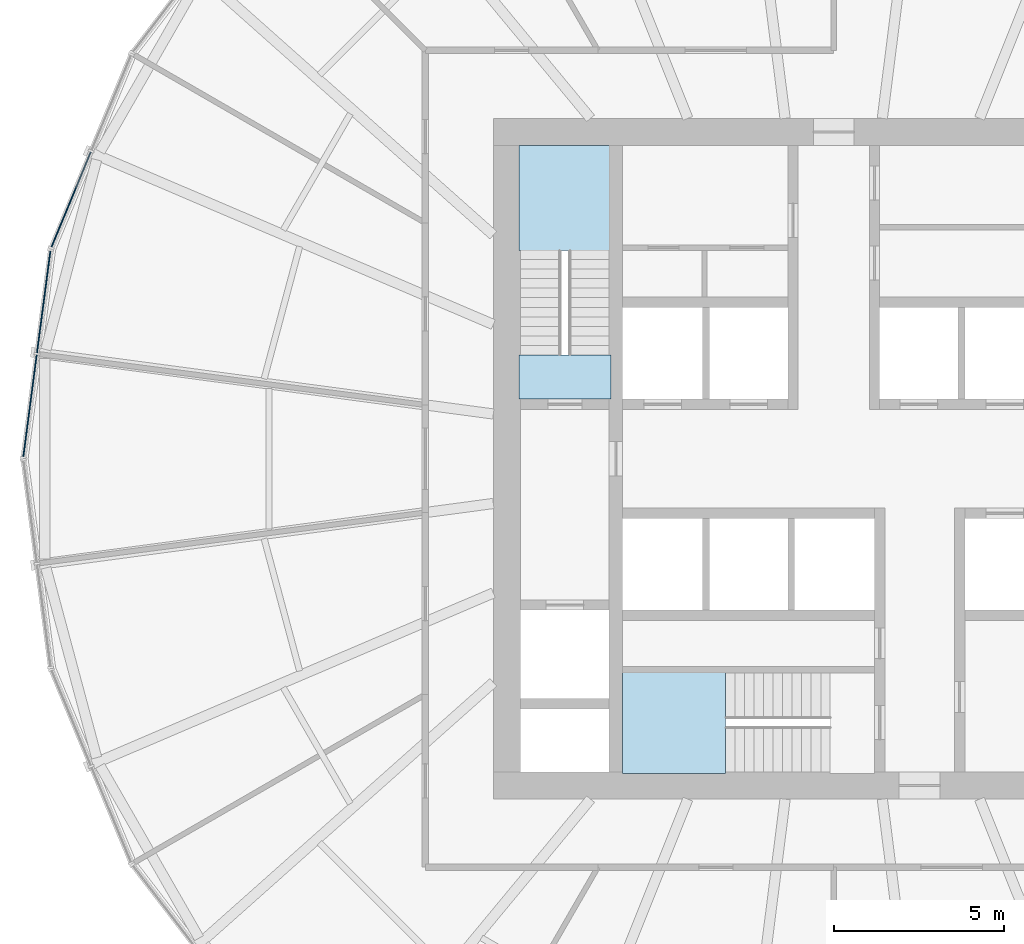
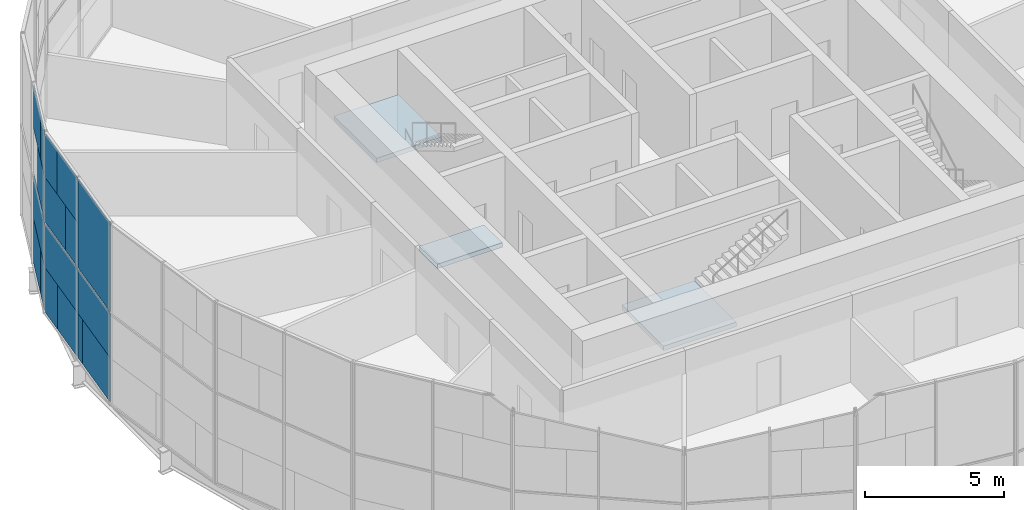
# One storey, part 10 of 18: 17 plates, 3 slabs, 4 elements without a shape of their own.
"""IFC4 building model written with IfcOpenShell, lengths in metres."""

from ifc_helpers import new_model, si_unit, direction, frame, origin, origin_2d, place, context, subcontext, project, spatial, polyline, rectangle, outline, extrude, material, layer, layer_set, type_object, element, aggregate, save


model = new_model("IFC4")

# Units and contexts
model_context = context("Model", 3, precision=1e-05, world=origin(), true_north=direction((0.0, 1.0)))
body_context = subcontext(model_context, "Body", "Model", "MODEL_VIEW")
ifc_project = project(units=[si_unit("LENGTHUNIT", "METRE"), si_unit("AREAUNIT", "SQUARE_METRE"), si_unit("VOLUMEUNIT", "CUBIC_METRE"), si_unit("PLANEANGLEUNIT", "RADIAN"), si_unit("MASSUNIT", "GRAM", prefix="KILO")], contexts=[model_context])

# Site, building, storey
site_placement = place(None, origin())
site = spatial("IfcSite", under=ifc_project, at=site_placement, CompositionType="ELEMENT")
building_placement = place(site_placement, origin())
building = spatial("IfcBuilding", under=site, at=building_placement, Name="Golbaran Civic Tower", CompositionType="ELEMENT")
storey_placement = place(building_placement, frame((0.0, 0.0, 61.0)))
storey = spatial("IfcBuildingStorey", under=building, at=storey_placement, Name="L14", CompositionType="ELEMENT", Elevation=61.0)

# Curtain wall, plates
ifc_material_1 = material(Name="Aluminium and glass", Category="aluminium")
curtain_wall_type = type_object("IfcCurtainWallType", Name="INNER SKIN CURTAIN WALL", PredefinedType="NOTDEFINED", material=ifc_material_1)
curtain_wall_1_placement = place(storey_placement, origin())
curtain_wall_1 = element("IfcCurtainWall", 1, at=curtain_wall_1_placement, inside=storey, type_object=curtain_wall_type, Name="Inner skin L14 facet 11 CW1", ObjectType="INNER SKIN", PredefinedType="USERDEFINED")
ifc_material_2 = material(Name="Clear insulating glass", Category="glass")
ifc_layer_1 = layer(ifc_material_2, 0.031982421875, Name="Clear insulating glass")
ifc_layer_set_1 = layer_set([ifc_layer_1], Name="Clear insulating glass")
plate_type_1 = type_object("IfcPlateType", Name="INNER SKIN CURTAIN WALL GLAZED PANEL", PredefinedType="CURTAIN_PANEL", material=ifc_layer_set_1)
plate_1_placement = place(storey_placement, frame((-22.764404296875, 6.74609375, 0.06494140625), z_axis=(0.0, 0.0, 1.0), x_axis=(-0.382683432381, -0.923879532505, 0.0)))
plate_1 = element("IfcPlate", 2, at=plate_1_placement, type_object=plate_type_1, Name="CW1 panel 2.1 part 2", PredefinedType="CURTAIN_PANEL", context=body_context, shape_type="SweptSolid", body=[
    extrude(rectangle(XDim=1.129150390625, YDim=0.031982421875, at=origin_2d()), origin(), (0.0, 0.0, 1.0), 1.951171875),
])
plate_2_placement = place(storey_placement, frame((-22.1943359375, 8.12255859375, 5.98388671875), z_axis=(0.0, 0.0, 1.0), x_axis=(-0.382683432381, -0.923879532505, 0.0)))
plate_2 = element("IfcPlate", 3, at=plate_2_placement, type_object=plate_type_1, Name="CW1 panel 2.2 part 3", PredefinedType="CURTAIN_PANEL", context=body_context, shape_type="SweptSolid", body=[
    extrude(rectangle(XDim=1.9130859375, YDim=0.031982421875, at=origin_2d()), origin(), (0.0, 0.0, 1.0), 1.951171875),
])

curtain_wall_2_placement = place(storey_placement, origin())
curtain_wall_2 = element("IfcCurtainWall", 4, at=curtain_wall_2_placement, inside=storey, type_object=curtain_wall_type, Name="Inner skin L14 facet 12 CW1", ObjectType="INNER SKIN", PredefinedType="USERDEFINED")
plate_3_placement = place(storey_placement, frame((-23.087646484375, 5.540283203125, 0.06494140625), z_axis=(0.0, 0.0, 1.0), x_axis=(-0.130526192185, -0.991444861378, 0.0)))
plate_3 = element("IfcPlate", 5, at=plate_3_placement, type_object=plate_type_1, Name="CW1 panel 1.1 part 1", PredefinedType="CURTAIN_PANEL", context=body_context, shape_type="SweptSolid", body=[
    extrude(rectangle(XDim=1.12890625, YDim=0.031982421875, at=origin_2d()), origin(), (0.0, 0.0, 1.0), 1.951171875),
])
plate_4_placement = place(storey_placement, frame((-23.33349609375, 3.671630859375, 4.032470703125), z_axis=(0.0, 0.0, 1.0), x_axis=(-0.130526192185, -0.991444861378, 0.0)))
plate_4 = element("IfcPlate", 6, at=plate_4_placement, type_object=plate_type_1, Name="CW1 panel 1.2 part 2", PredefinedType="CURTAIN_PANEL", context=body_context, shape_type="SweptSolid", body=[
    extrude(rectangle(XDim=1.124267578125, YDim=0.031982421875, at=origin_2d()), origin(), (0.0, 0.0, 1.0), 1.951171875),
])
plate_5_placement = place(storey_placement, frame((-23.2822265625, 4.062744140625, 5.98388671875), z_axis=(0.0, 0.0, 1.0), x_axis=(-0.130526192185, -0.991444861378, 0.0)))
plate_5 = element("IfcPlate", 7, at=plate_5_placement, type_object=plate_type_1, Name="CW1 panel 1.2 part 4", PredefinedType="CURTAIN_PANEL", context=body_context, shape_type="SweptSolid", body=[
    extrude(rectangle(XDim=1.913330078125, YDim=0.031982421875, at=origin_2d()), origin(), (0.0, 0.0, 1.0), 1.951171875),
])
plate_6_placement = place(storey_placement, frame((-23.638916015625, 1.35302734375, 0.06494140625), z_axis=(0.0, 0.0, 1.0), x_axis=(-0.130526192185, -0.991444861378, 0.0)))
plate_6 = element("IfcPlate", 8, at=plate_6_placement, type_object=plate_type_1, Name="CW1 panel 2.1 part 2", PredefinedType="CURTAIN_PANEL", context=body_context, shape_type="SweptSolid", body=[
    extrude(rectangle(XDim=2.59912109375, YDim=0.031982421875, at=origin_2d()), origin(), (0.0, 0.0, 1.0), 1.951171875),
])
plate_7_placement = place(storey_placement, frame((-23.612060546875, 1.55712890625, 2.016357421875), z_axis=(0.0, 0.0, 1.0), x_axis=(-0.130526192185, -0.991444861378, 0.0)))
plate_7 = element("IfcPlate", 9, at=plate_7_placement, type_object=plate_type_1, Name="CW1 panel 2.1 part 3", PredefinedType="CURTAIN_PANEL", context=body_context, shape_type="SweptSolid", body=[
    extrude(rectangle(XDim=3.01123046875, YDim=0.031982421875, at=origin_2d()), origin(), (0.0, 0.0, 1.0), 1.951171875),
])
plate_8_placement = place(storey_placement, frame((-23.612060546875, 1.55712890625, 4.0322265625), z_axis=(0.0, 0.0, 1.0), x_axis=(-0.130526192185, -0.991444861378, 0.0)))
plate_8 = element("IfcPlate", 10, at=plate_8_placement, type_object=plate_type_1, Name="CW1 panel 2.2", PredefinedType="CURTAIN_PANEL", context=body_context, shape_type="SweptSolid", body=[
    extrude(rectangle(XDim=3.01123046875, YDim=0.031982421875, at=origin_2d()), origin(), (0.0, 0.0, 1.0), 3.902587890625),
])

# Plate
ifc_material_3 = material(Name="Aluminium faced opaque infill panel", Category="aluminium")
ifc_layer_2 = layer(ifc_material_3, 0.031982421875, Name="Aluminium faced opaque infill panel")
ifc_layer_set_2 = layer_set([ifc_layer_2], Name="Aluminium faced opaque infill panel")
plate_type_2 = type_object("IfcPlateType", Name="INNER SKIN CURTAIN WALL OPAQUE INFILL PANEL", PredefinedType="CURTAIN_PANEL", material=ifc_layer_set_2)
plate_9_placement = place(storey_placement, frame((-22.188232421875, 8.136962890625, 0.06494140625), z_axis=(0.0, 0.0, 1.0), x_axis=(-0.382683432381, -0.923879532505, 0.0)))
plate_9 = element("IfcPlate", 11, at=plate_9_placement, type_object=plate_type_2, Name="CW1 infill panel 2.1 part 1", PredefinedType="CURTAIN_PANEL", context=body_context, shape_type="SweptSolid", body=[
    extrude(rectangle(XDim=1.882080078125, YDim=0.031982421875, at=origin_2d()), origin(), (0.0, 0.0, 1.0), 1.951171875),
])

plate_10_placement = place(storey_placement, frame((-22.404296875, 7.615478515625, 2.016357421875), z_axis=(0.0, 0.0, 1.0), x_axis=(-0.382683432381, -0.923879532505, 0.0)))
plate_10 = element("IfcPlate", 12, at=plate_10_placement, type_object=plate_type_2, Name="CW1 infill panel 2.1 part 3", PredefinedType="CURTAIN_PANEL", context=body_context, shape_type="SweptSolid", body=[
    extrude(rectangle(XDim=3.01123046875, YDim=0.031982421875, at=origin_2d()), origin(), (0.0, 0.0, 1.0), 1.951171875),
])

plate_11_placement = place(storey_placement, frame((-22.619384765625, 7.09619140625, 4.032470703125), z_axis=(0.0, 0.0, 1.0), x_axis=(-0.382683432381, -0.923879532505, 0.0)))
plate_11 = element("IfcPlate", 13, at=plate_11_placement, type_object=plate_type_2, Name="CW1 infill panel 2.2 part 2", PredefinedType="CURTAIN_PANEL", context=body_context, shape_type="SweptSolid", body=[
    extrude(rectangle(XDim=1.88720703125, YDim=0.031982421875, at=origin_2d()), origin(), (0.0, 0.0, 1.0), 1.951171875),
])

plate_12_placement = place(storey_placement, frame((-22.7705078125, 6.731689453125, 5.98388671875), z_axis=(0.0, 0.0, 1.0), x_axis=(-0.382683432381, -0.923879532505, 0.0)))
plate_12 = element("IfcPlate", 14, at=plate_12_placement, type_object=plate_type_2, Name="CW1 infill panel 2.2 part 4", PredefinedType="CURTAIN_PANEL", context=body_context, shape_type="SweptSolid", body=[
    extrude(rectangle(XDim=1.09814453125, YDim=0.031982421875, at=origin_2d()), origin(), (0.0, 0.0, 1.0), 1.951171875),
])

aggregate(curtain_wall_1, [plate_9, plate_1, plate_10, plate_11, plate_2, plate_12])

plate_13_placement = place(storey_placement, frame((-23.2841796875, 4.04736328125, 0.06494140625), z_axis=(0.0, 0.0, 1.0), x_axis=(-0.130526192185, -0.991444861378, 0.0)))
plate_13 = element("IfcPlate", 15, at=plate_13_placement, type_object=plate_type_2, Name="CW1 infill panel 1.1 part 2", PredefinedType="CURTAIN_PANEL", context=body_context, shape_type="SweptSolid", body=[
    extrude(rectangle(XDim=1.88232421875, YDim=0.031982421875, at=origin_2d()), origin(), (0.0, 0.0, 1.0), 1.951171875),
])

plate_14_placement = place(storey_placement, frame((-23.21044921875, 4.607177734375, 2.016357421875), z_axis=(0.0, 0.0, 1.0), x_axis=(-0.130526192185, -0.991444861378, 0.0)))
plate_14 = element("IfcPlate", 16, at=plate_14_placement, type_object=plate_type_2, Name="CW1 infill panel 1.1 part 3", PredefinedType="CURTAIN_PANEL", context=body_context, shape_type="SweptSolid", body=[
    extrude(rectangle(XDim=3.01123046875, YDim=0.031982421875, at=origin_2d()), origin(), (0.0, 0.0, 1.0), 1.951171875),
])

plate_15_placement = place(storey_placement, frame((-23.13720703125, 5.164306640625, 4.032470703125), z_axis=(0.0, 0.0, 1.0), x_axis=(-0.130526192185, -0.991444861378, 0.0)))
plate_15 = element("IfcPlate", 17, at=plate_15_placement, type_object=plate_type_2, Name="CW1 infill panel 1.2 part 1", PredefinedType="CURTAIN_PANEL", context=body_context, shape_type="SweptSolid", body=[
    extrude(rectangle(XDim=1.886962890625, YDim=0.031982421875, at=origin_2d()), origin(), (0.0, 0.0, 1.0), 1.951171875),
])

plate_16_placement = place(storey_placement, frame((-23.085693359375, 5.5556640625, 5.98388671875), z_axis=(0.0, 0.0, 1.0), x_axis=(-0.130526192185, -0.991444861378, 0.0)))
plate_16 = element("IfcPlate", 18, at=plate_16_placement, type_object=plate_type_2, Name="CW1 infill panel 1.2 part 3", PredefinedType="CURTAIN_PANEL", context=body_context, shape_type="SweptSolid", body=[
    extrude(rectangle(XDim=1.097900390625, YDim=0.031982421875, at=origin_2d()), origin(), (0.0, 0.0, 1.0), 1.951171875),
])

plate_17_placement = place(storey_placement, frame((-23.4423828125, 2.845703125, 0.06494140625), z_axis=(0.0, 0.0, 1.0), x_axis=(-0.130526192185, -0.991444861378, 0.0)))
plate_17 = element("IfcPlate", 19, at=plate_17_placement, type_object=plate_type_2, Name="CW1 infill panel 2.1 part 1", PredefinedType="CURTAIN_PANEL", context=body_context, shape_type="SweptSolid", body=[
    extrude(rectangle(XDim=0.412109375, YDim=0.031982421875, at=origin_2d()), origin(), (0.0, 0.0, 1.0), 1.951171875),
])

aggregate(curtain_wall_2, [plate_3, plate_13, plate_14, plate_15, plate_4, plate_16, plate_5, plate_17, plate_6, plate_7, plate_8])

# Stair, slab
ifc_material_4 = material(Name="Concrete C35/45", Category="concrete")
stair_type_1 = type_object("IfcStairType", Name="EXIT STAIR 2600 x 7450, 4000 RISE", PredefinedType="HALF_TURN_STAIR", material=ifc_material_4)
stair_1_placement = place(storey_placement, origin())
stair_1 = element("IfcStair", 20, at=stair_1_placement, inside=storey, type_object=stair_type_1, Name="Stair S1 L14", PredefinedType="HALF_TURN_STAIR")
ifc_layer_3 = layer(ifc_material_4, 0.199951171875, Name="Concrete C35/45")
ifc_layer_set_3 = layer_set([ifc_layer_3], Name="Concrete C35/45")
slab_type = type_object("IfcSlabType", Name="STAIR LANDING 200", PredefinedType="LANDING", material=ifc_layer_set_3)
slab_1_placement = place(storey_placement, frame((0.0, 0.0, 1.800048828125)))
slab_1 = element("IfcSlab", 21, at=slab_1_placement, type_object=slab_type, Name="ST26074-40 landing 1", PredefinedType="LANDING", context=body_context, shape_type="SweptSolid", body=[
    extrude(outline(polyline([(-9.25, 6.125), (-9.25, 9.199951171875), (-6.550048828125, 9.199951171875), (-6.550048828125, 6.125), (-9.25, 6.125)])), origin(), (0.0, 0.0, 1.0), 0.199951171875),
])
aggregate(stair_1, [slab_1])

# Slab
slab_2_placement = place(storey_placement, frame((0.0, 0.0, -0.199951171875)))
element("IfcSlab", 22, at=slab_2_placement, inside=storey, type_object=slab_type, Name="Stair S1 floor landing L14", PredefinedType="LANDING", context=body_context, shape_type="SweptSolid", body=[
    extrude(outline(polyline([(-9.25, 1.75), (-9.25, 3.054931640625), (-6.550048828125, 3.054931640625), (-6.550048828125, 1.75), (-9.25, 1.75)])), origin(), (0.0, 0.0, 1.0), 0.199951171875),
])

# Stair, slab
stair_type_2 = type_object("IfcStairType", Name="EXIT STAIR 2900 x 7400, 4000 RISE", PredefinedType="HALF_TURN_STAIR", material=ifc_material_4)
stair_2_placement = place(storey_placement, origin())
stair_2 = element("IfcStair", 23, at=stair_2_placement, inside=storey, type_object=stair_type_2, Name="Stair S3 L14", PredefinedType="HALF_TURN_STAIR")
slab_3_placement = place(storey_placement, frame((0.0, 0.0, 1.800048828125)))
slab_3 = element("IfcSlab", 24, at=slab_3_placement, type_object=slab_type, Name="ST29074-40 landing 1", PredefinedType="LANDING", context=body_context, shape_type="SweptSolid", body=[
    extrude(outline(polyline([(-3.175048828125, -9.25), (-6.199951171875, -9.25), (-6.199951171875, -6.25), (-3.175048828125, -6.25), (-3.175048828125, -9.25)])), origin(), (0.0, 0.0, 1.0), 0.199951171875),
])
aggregate(stair_2, [slab_3])

save(model, "model.ifc")
